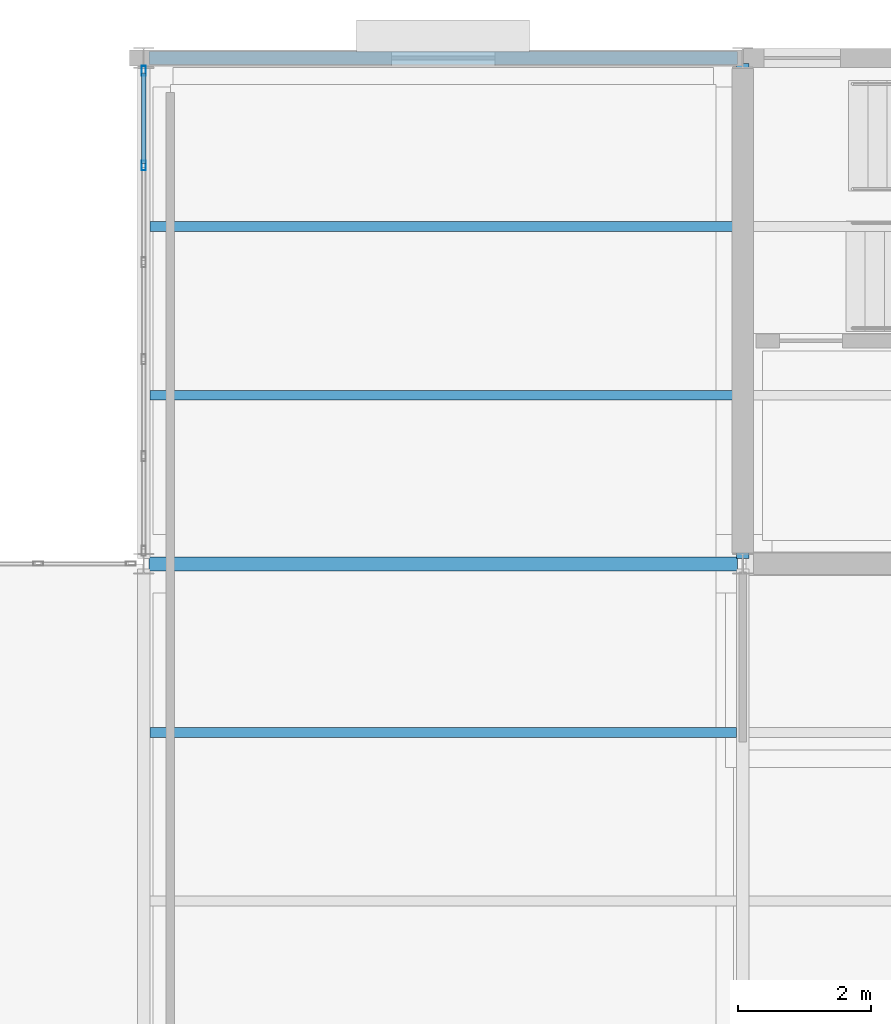
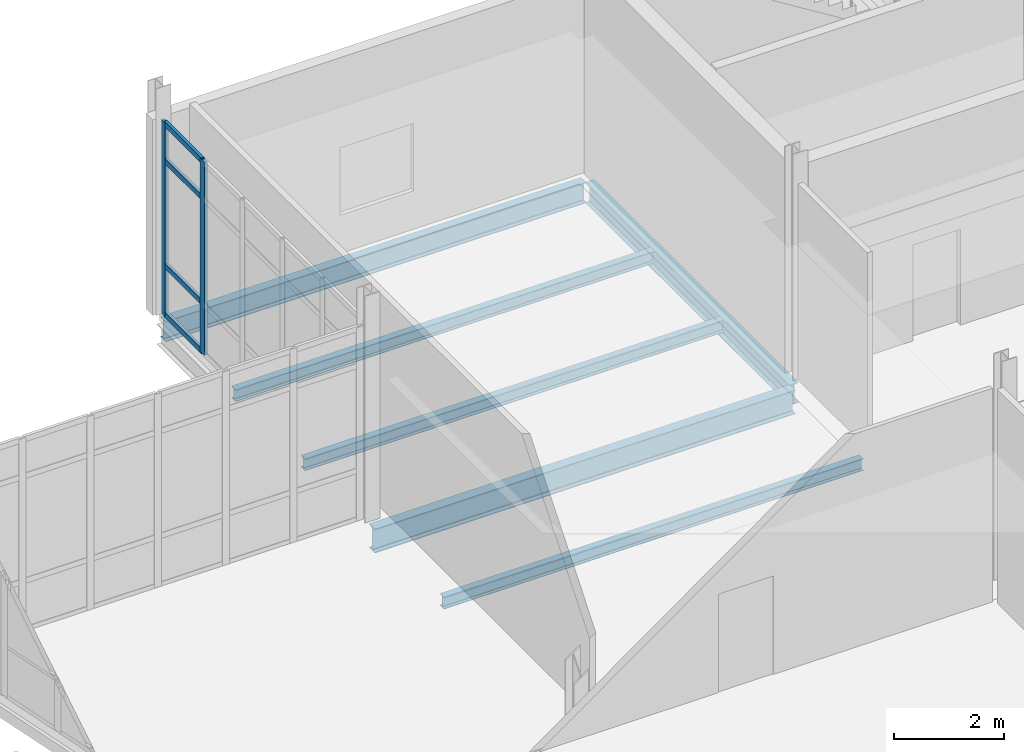
# One storey, part 100 of 161: 6 beams, 6 members, 1 element without a shape of its own.
"""IFC4 building model written with IfcOpenShell, lengths in metres."""

from ifc_helpers import new_model, si_unit, direction, frame, origin, origin_2d, place, context, subcontext, project, spatial, hollow_rectangle, i_section, extrude, material, material_profile, profile_set, type_object, element, aggregate, save


model = new_model("IFC4")

# Units and contexts
model_context = context("Model", 3, precision=1e-05, world=origin(), true_north=direction((0.0, 1.0)))
body_context = subcontext(model_context, "Body", "Model", "MODEL_VIEW")
ifc_project = project(units=[si_unit("LENGTHUNIT", "METRE"), si_unit("AREAUNIT", "SQUARE_METRE"), si_unit("VOLUMEUNIT", "CUBIC_METRE"), si_unit("PLANEANGLEUNIT", "RADIAN"), si_unit("MASSUNIT", "GRAM", prefix="KILO")], contexts=[model_context])

# Site, building, storey
site_placement = place(None, origin())
site = spatial("IfcSite", under=ifc_project, at=site_placement, CompositionType="ELEMENT")
building_placement = place(site_placement, origin())
building = spatial("IfcBuilding", under=site, at=building_placement, Name="Caisbarro Railhouse Central Library", CompositionType="ELEMENT")
storey_placement = place(building_placement, origin())
storey = spatial("IfcBuildingStorey", under=building, at=storey_placement, Name="L00", CompositionType="ELEMENT", Elevation=0.0)

# Beams
ifc_material_1 = material(Name="Steel ASTM A572 Grade 50", Category="steel")
ifc_material_profile_1 = material_profile(ifc_material_1, i_section(OverallWidth=0.208984375, OverallDepth=0.532958984375, WebThickness=0.01025390625, FlangeThickness=0.015625, FilletRadius=0.02001953125, at=origin_2d()), Name="W530X92.0")
ifc_profile_set_1 = profile_set([ifc_material_profile_1], Name="Steel ASTM A572 Grade 50")
beam_type_1 = type_object("IfcBeamType", Name="BM-G06", PredefinedType="BEAM", material=ifc_profile_set_1)
beam_1_placement = place(storey_placement, frame((117.080078125, 106.39990234375, -0.5166015625), z_axis=(1.0, 0.0, 0.0), x_axis=(0.0, 1.0, 0.0)))
element("IfcBeam", 1, at=beam_1_placement, inside=storey, type_object=beam_type_1, Name="G06 beam L00 #514", PredefinedType="BEAM", context=body_context, shape_type="SweptSolid", body=[
    extrude(i_section(OverallWidth=0.208984375, OverallDepth=0.532958984375, WebThickness=0.01025390625, FlangeThickness=0.015625, FilletRadius=0.02001953125, at=origin_2d()), origin(), (0.0, 0.0, 1.0), 8.83984375),
])
ifc_material_profile_2 = material_profile(ifc_material_1, i_section(OverallWidth=0.18994140625, OverallDepth=0.45703125, WebThickness=0.009033203125, FlangeThickness=0.014404296875, FilletRadius=0.01806640625, at=origin_2d()), Name="W460X74.0")
ifc_profile_set_2 = profile_set([ifc_material_profile_2], Name="Steel ASTM A572 Grade 50")
beam_type_2 = type_object("IfcBeamType", Name="BM-G08", PredefinedType="BEAM", material=ifc_profile_set_2)
beam_2_placement = place(storey_placement, frame((126.0, 106.47998046875, -0.478515625), z_axis=(0.0, 1.0, 0.0), x_axis=(-1.0, 0.0, 0.0)))
element("IfcBeam", 2, at=beam_2_placement, inside=storey, type_object=beam_type_2, Name="G08 beam L00 #535", PredefinedType="BEAM", context=body_context, shape_type="SweptSolid", body=[
    extrude(i_section(OverallWidth=0.18994140625, OverallDepth=0.45703125, WebThickness=0.009033203125, FlangeThickness=0.014404296875, FilletRadius=0.01806640625, at=origin_2d()), origin(), (0.0, 0.0, 1.0), 7.43994140625),
])
ifc_material_profile_3 = material_profile(ifc_material_1, i_section(OverallWidth=0.14794921875, OverallDepth=0.26611328125, WebThickness=0.007568359375, FlangeThickness=0.012939453125, FilletRadius=0.010009765625, at=origin_2d()), Name="W250X44.8")
ifc_profile_set_3 = profile_set([ifc_material_profile_3], Name="Steel ASTM A572 Grade 50")
beam_type_3 = type_object("IfcBeamType", Name="BM-J04", PredefinedType="JOIST", material=ifc_profile_set_3)
for number, where, z_axis, x_axis, name in (
    (3, (117.094970703125, 103.86669921875, -0.383056640625), (1.0, 0.0, 0.0), (0.0, 1.0, 0.0), "J04 beam L00 #568"),
    (4, (117.094970703125, 108.933349609375, -0.383056640625), (1.0, 0.0, 0.0), (0.0, 1.0, 0.0), "J04 beam L00 #569"),
    (5, (117.094970703125, 111.466796875, -0.383056640625), (1.0, 0.0, 0.0), (0.0, 1.0, 0.0), "J04 beam L00 #570"),
):
    element("IfcBeam", number, at=place(storey_placement, frame(where, z_axis=z_axis, x_axis=x_axis)), inside=storey, type_object=beam_type_3, Name=name, PredefinedType="JOIST", context=body_context, shape_type="SweptSolid", body=[
        extrude(i_section(OverallWidth=0.14794921875, OverallDepth=0.26611328125, WebThickness=0.007568359375, FlangeThickness=0.012939453125, FilletRadius=0.010009765625, at=origin_2d()), origin(), (0.0, 0.0, 1.0), 8.81005859375),
    ])
ifc_material_profile_4 = material_profile(ifc_material_1, i_section(OverallWidth=0.18994140625, OverallDepth=0.45703125, WebThickness=0.009033203125, FlangeThickness=0.014404296875, FilletRadius=0.01806640625, at=origin_2d()), Name="W460X74.0")
ifc_profile_set_4 = profile_set([ifc_material_profile_4], Name="Steel ASTM A572 Grade 50")
beam_type_4 = type_object("IfcBeamType", Name="BM-SP01", PredefinedType="SPANDREL", material=ifc_profile_set_4)
beam_3_placement = place(storey_placement, frame((117.080078125, 114.0, -0.478515625), z_axis=(1.0, 0.0, 0.0), x_axis=(0.0, 1.0, 0.0)))
element("IfcBeam", 6, at=beam_3_placement, inside=storey, type_object=beam_type_4, Name="SP01 beam L00 #518", PredefinedType="SPANDREL", context=body_context, shape_type="SweptSolid", body=[
    extrude(i_section(OverallWidth=0.18994140625, OverallDepth=0.45703125, WebThickness=0.009033203125, FlangeThickness=0.014404296875, FilletRadius=0.01806640625, at=origin_2d()), origin(), (0.0, 0.0, 1.0), 8.83984375),
])

# Curtain wall, members
ifc_material_2 = material(Name="Anodised architectural aluminium", Category="aluminium")
curtain_wall_type = type_object("IfcCurtainWallType", Name="CW-CW03", PredefinedType="NOTDEFINED", material=ifc_material_2)
curtain_wall_placement = place(storey_placement, origin())
curtain_wall = element("IfcCurtainWall", 7, at=curtain_wall_placement, inside=storey, type_object=curtain_wall_type, Name="CW03 curtain wall L00 #102", PredefinedType="NOTDEFINED")
ifc_material_profile_5 = material_profile(ifc_material_2, hollow_rectangle(XDim=0.06494140625, YDim=0.14990234375, WallThickness=0.00390625, at=origin_2d()), Name="ALU-MUL-65X150")
ifc_profile_set_5 = profile_set([ifc_material_profile_5], Name="Anodised architectural aluminium")
member_type_1 = type_object("IfcMemberType", Name="CWM-M02", PredefinedType="MULLION", material=ifc_profile_set_5)
member_1_placement = place(storey_placement, frame((117.0, 112.384033203125, 0.0), z_axis=(0.0, 0.0, 1.0), x_axis=(-1.0, 0.0, 0.0)))
member_1 = element("IfcMember", 8, at=member_1_placement, type_object=member_type_1, Name="CW03 mullion 5", PredefinedType="MULLION", context=body_context, shape_type="SweptSolid", body=[
    extrude(hollow_rectangle(XDim=0.06494140625, YDim=0.14990234375, WallThickness=0.00390625, at=origin_2d()), origin(), (0.0, 0.0, 1.0), 4.300048828125),
])
member_2_placement = place(storey_placement, frame((117.0, 113.8076171875, 0.0), z_axis=(0.0, 0.0, 1.0), x_axis=(-1.0, 0.0, 0.0)))
member_2 = element("IfcMember", 9, at=member_2_placement, type_object=member_type_1, Name="CW03 mullion 6", PredefinedType="MULLION", context=body_context, shape_type="SweptSolid", body=[
    extrude(hollow_rectangle(XDim=0.06494140625, YDim=0.14990234375, WallThickness=0.00390625, at=origin_2d()), origin(), (0.0, 0.0, 1.0), 4.300048828125),
])
ifc_material_profile_6 = material_profile(ifc_material_2, hollow_rectangle(XDim=0.06494140625, YDim=0.1201171875, WallThickness=0.00341796875, at=origin_2d()), Name="ALU-TRN-65X120")
ifc_profile_set_6 = profile_set([ifc_material_profile_6], Name="Anodised architectural aluminium")
member_type_2 = type_object("IfcMemberType", Name="CWT-T02", PredefinedType="USERDEFINED", material=ifc_profile_set_6)
member_3_placement = place(storey_placement, frame((117.0, 112.41650390625, 0.032470703125), z_axis=(0.0, 1.0, 0.0), x_axis=(-1.0, 0.0, 0.0)))
member_3 = element("IfcMember", 10, at=member_3_placement, type_object=member_type_2, Name="CW03 transom 5.1", ObjectType="TRANSOM", PredefinedType="USERDEFINED", context=body_context, shape_type="SweptSolid", body=[
    extrude(hollow_rectangle(XDim=0.06494140625, YDim=0.1201171875, WallThickness=0.00341796875, at=origin_2d()), origin(), (0.0, 0.0, 1.0), 1.3583984375),
])
member_4_placement = place(storey_placement, frame((117.0, 112.41650390625, 1.1201171875), z_axis=(0.0, 1.0, 0.0), x_axis=(-1.0, 0.0, 0.0)))
member_4 = element("IfcMember", 11, at=member_4_placement, type_object=member_type_2, Name="CW03 transom 5.2", ObjectType="TRANSOM", PredefinedType="USERDEFINED", context=body_context, shape_type="SweptSolid", body=[
    extrude(hollow_rectangle(XDim=0.06494140625, YDim=0.1201171875, WallThickness=0.00341796875, at=origin_2d()), origin(), (0.0, 0.0, 1.0), 1.3583984375),
])
member_5_placement = place(storey_placement, frame((117.0, 112.41650390625, 3.449951171875), z_axis=(0.0, 1.0, 0.0), x_axis=(-1.0, 0.0, 0.0)))
member_5 = element("IfcMember", 12, at=member_5_placement, type_object=member_type_2, Name="CW03 transom 5.3", ObjectType="TRANSOM", PredefinedType="USERDEFINED", context=body_context, shape_type="SweptSolid", body=[
    extrude(hollow_rectangle(XDim=0.06494140625, YDim=0.1201171875, WallThickness=0.00341796875, at=origin_2d()), origin(), (0.0, 0.0, 1.0), 1.3583984375),
])
member_6_placement = place(storey_placement, frame((117.0, 112.41650390625, 4.267578125), z_axis=(0.0, 1.0, 0.0), x_axis=(-1.0, 0.0, 0.0)))
member_6 = element("IfcMember", 13, at=member_6_placement, type_object=member_type_2, Name="CW03 transom 5.4", ObjectType="TRANSOM", PredefinedType="USERDEFINED", context=body_context, shape_type="SweptSolid", body=[
    extrude(hollow_rectangle(XDim=0.06494140625, YDim=0.1201171875, WallThickness=0.00341796875, at=origin_2d()), origin(), (0.0, 0.0, 1.0), 1.3583984375),
])
aggregate(curtain_wall, [member_1, member_2, member_3, member_4, member_5, member_6])

save(model, "model.ifc")
